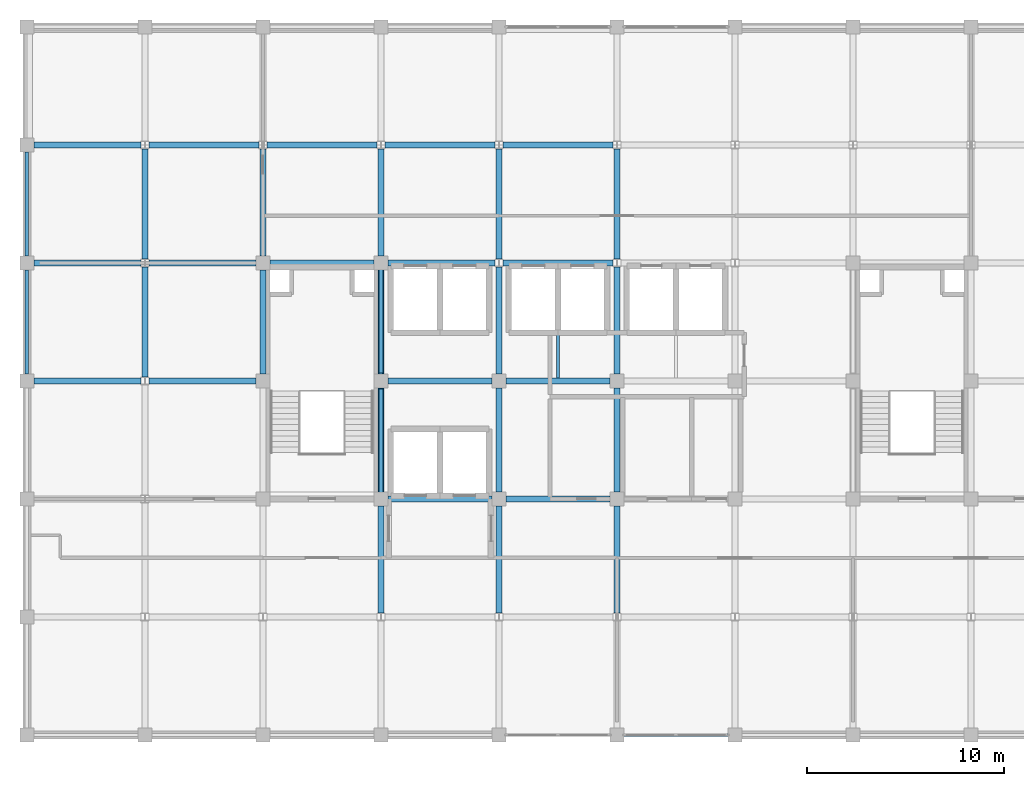
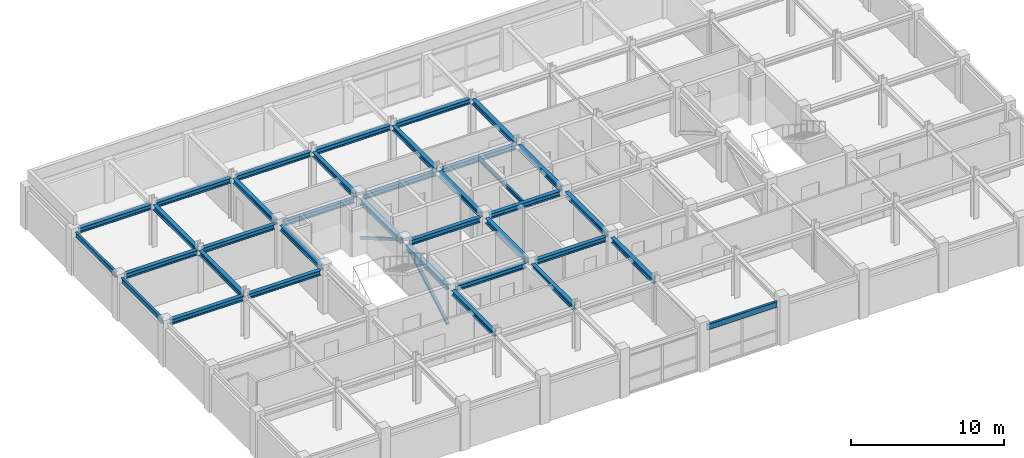
# One storey, part 5 of 12: 36 beams, 2 members.
"""IFC4 building model written with IfcOpenShell, lengths in metres."""

from ifc_helpers import new_model, si_unit, direction, frame, origin, origin_2d, place, context, subcontext, project, spatial, hollow_rectangle, i_section, extrude, material, material_profile, profile_set, type_object, element, save


model = new_model("IFC4")

# Units and contexts
model_context = context("Model", 3, precision=1e-05, world=origin(), true_north=direction((0.0, 1.0)))
body_context = subcontext(model_context, "Body", "Model", "MODEL_VIEW")
ifc_project = project(units=[si_unit("LENGTHUNIT", "METRE"), si_unit("AREAUNIT", "SQUARE_METRE"), si_unit("VOLUMEUNIT", "CUBIC_METRE"), si_unit("PLANEANGLEUNIT", "RADIAN"), si_unit("MASSUNIT", "GRAM", prefix="KILO")], contexts=[model_context])

# Site, building, storey
site_placement = place(None, origin())
site = spatial("IfcSite", under=ifc_project, at=site_placement, CompositionType="ELEMENT")
building_placement = place(site_placement, origin())
building = spatial("IfcBuilding", under=site, at=building_placement, Name="Zlatovratsky Civic Hall", CompositionType="ELEMENT")
storey_placement = place(building_placement, frame((0.0, 0.0, 32.699951171875)))
storey = spatial("IfcBuildingStorey", under=building, at=storey_placement, Name="L08", CompositionType="ELEMENT", Elevation=32.699951171875)

# Beams
ifc_material = material(Name="Steel S355", Category="steel")
ifc_material_profile_1 = material_profile(ifc_material, i_section(OverallWidth=0.169921875, OverallDepth=0.446044921875, WebThickness=0.007568359375, FlangeThickness=0.010986328125, FilletRadius=0.01611328125, at=origin_2d()), Name="45B1")
ifc_profile_set_1 = profile_set([ifc_material_profile_1], Name="Steel S355")
beam_type_1 = type_object("IfcBeamType", Name="Beam_Spandrel_45B1", PredefinedType="SPANDREL", material=ifc_profile_set_1)
for number, where, z_axis, x_axis, name in (
    (1, (84.35009765625, 72.0, 3.177001953125), (1.0, 0.0, 0.0), (0.0, 1.0, 0.0), "BM-4386"),
    (2, (54.0, 90.35009765625, 3.177001953125), (0.0, 1.0, 0.0), (-1.0, 0.0, 0.0), "BM-4452"),
    (3, (54.0, 96.35009765625, 3.177001953125), (0.0, 1.0, 0.0), (-1.0, 0.0, 0.0), "BM-4453"),
):
    element("IfcBeam", number, at=place(storey_placement, frame(where, z_axis=z_axis, x_axis=x_axis)), inside=storey, type_object=beam_type_1, Name=name, PredefinedType="SPANDREL", context=body_context, shape_type="SweptSolid", body=[
        extrude(i_section(OverallWidth=0.169921875, OverallDepth=0.446044921875, WebThickness=0.007568359375, FlangeThickness=0.010986328125, FilletRadius=0.01611328125, at=origin_2d()), origin(), (0.0, 0.0, 1.0), 5.2998046875),
    ])
ifc_material_profile_2 = material_profile(ifc_material, i_section(OverallWidth=0.300048828125, OverallDepth=0.387939453125, WebThickness=0.009521484375, FlangeThickness=0.013916015625, FilletRadius=0.02197265625, at=origin_2d()), Name="40Sh1")
ifc_profile_set_2 = profile_set([ifc_material_profile_2], Name="Steel S355")
beam_type_2 = type_object("IfcBeamType", Name="Beam_TowerMid_40Sh1", PredefinedType="BEAM", material=ifc_profile_set_2)
for number, where, z_axis, x_axis, name in (
    (4, (72.35009765625, 84.0, 3.2060546875), (1.0, 0.0, 0.0), (0.0, 1.0, 0.0), "BM-4404"),
    (5, (78.35009765625, 84.0, 3.2060546875), (1.0, 0.0, 0.0), (0.0, 1.0, 0.0), "BM-4405"),
):
    element("IfcBeam", number, at=place(storey_placement, frame(where, z_axis=z_axis, x_axis=x_axis)), inside=storey, type_object=beam_type_2, Name=name, PredefinedType="BEAM", context=body_context, shape_type="SweptSolid", body=[
        extrude(i_section(OverallWidth=0.300048828125, OverallDepth=0.387939453125, WebThickness=0.009521484375, FlangeThickness=0.013916015625, FilletRadius=0.02197265625, at=origin_2d()), origin(), (0.0, 0.0, 1.0), 5.2998046875),
    ])
for number, where, z_axis, x_axis, name in (
    (6, (54.35009765625, 90.0, 3.2060546875), (1.0, 0.0, 0.0), (0.0, 1.0, 0.0), "BM-4411"),
    (7, (60.198974609375, 90.0, 3.2060546875), (1.0, 0.0, 0.0), (0.0, 1.0, 0.0), "BM-4412"),
):
    element("IfcBeam", number, at=place(storey_placement, frame(where, z_axis=z_axis, x_axis=x_axis)), inside=storey, type_object=beam_type_2, Name=name, PredefinedType="BEAM", context=body_context, shape_type="SweptSolid", body=[
        extrude(i_section(OverallWidth=0.300048828125, OverallDepth=0.387939453125, WebThickness=0.009521484375, FlangeThickness=0.013916015625, FilletRadius=0.02197265625, at=origin_2d()), origin(), (0.0, 0.0, 1.0), 5.450927734375),
    ])
for number, where, z_axis, x_axis, name in (
    (8, (72.35009765625, 90.0, 3.2060546875), (1.0, 0.0, 0.0), (0.0, 1.0, 0.0), "BM-4413"),
    (9, (78.35009765625, 90.0, 3.2060546875), (1.0, 0.0, 0.0), (0.0, 1.0, 0.0), "BM-4414"),
):
    element("IfcBeam", number, at=place(storey_placement, frame(where, z_axis=z_axis, x_axis=x_axis)), inside=storey, type_object=beam_type_2, Name=name, PredefinedType="BEAM", context=body_context, shape_type="SweptSolid", body=[
        extrude(i_section(OverallWidth=0.300048828125, OverallDepth=0.387939453125, WebThickness=0.009521484375, FlangeThickness=0.013916015625, FilletRadius=0.02197265625, at=origin_2d()), origin(), (0.0, 0.0, 1.0), 5.2998046875),
    ])
for number, where, z_axis, x_axis, name in (
    (10, (54.35009765625, 96.0, 3.2060546875), (1.0, 0.0, 0.0), (0.0, 1.0, 0.0), "BM-4419"),
    (11, (60.198974609375, 96.0, 3.2060546875), (1.0, 0.0, 0.0), (0.0, 1.0, 0.0), "BM-4420"),
):
    element("IfcBeam", number, at=place(storey_placement, frame(where, z_axis=z_axis, x_axis=x_axis)), inside=storey, type_object=beam_type_2, Name=name, PredefinedType="BEAM", context=body_context, shape_type="SweptSolid", body=[
        extrude(i_section(OverallWidth=0.300048828125, OverallDepth=0.387939453125, WebThickness=0.009521484375, FlangeThickness=0.013916015625, FilletRadius=0.02197265625, at=origin_2d()), origin(), (0.0, 0.0, 1.0), 5.450927734375),
    ])
beam_1_placement = place(storey_placement, frame((66.35009765625, 96.0, 3.2060546875), z_axis=(1.0, 0.0, 0.0), x_axis=(0.0, 1.0, 0.0)))
element("IfcBeam", 12, at=beam_1_placement, inside=storey, type_object=beam_type_2, Name="BM-4421", PredefinedType="BEAM", context=body_context, shape_type="SweptSolid", body=[
    extrude(i_section(OverallWidth=0.300048828125, OverallDepth=0.387939453125, WebThickness=0.009521484375, FlangeThickness=0.013916015625, FilletRadius=0.02197265625, at=origin_2d()), origin(), (0.0, 0.0, 1.0), 5.2998046875),
])
beam_2_placement = place(storey_placement, frame((72.35009765625, 96.0, 3.2060546875), z_axis=(1.0, 0.0, 0.0), x_axis=(0.0, 1.0, 0.0)))
element("IfcBeam", 13, at=beam_2_placement, inside=storey, type_object=beam_type_2, Name="BM-4422", PredefinedType="BEAM", context=body_context, shape_type="SweptSolid", body=[
    extrude(i_section(OverallWidth=0.300048828125, OverallDepth=0.387939453125, WebThickness=0.009521484375, FlangeThickness=0.013916015625, FilletRadius=0.02197265625, at=origin_2d()), origin(), (0.0, 0.0, 1.0), 5.450927734375),
])
beam_3_placement = place(storey_placement, frame((78.198974609375, 96.0, 3.2060546875), z_axis=(1.0, 0.0, 0.0), x_axis=(0.0, 1.0, 0.0)))
element("IfcBeam", 14, at=beam_3_placement, inside=storey, type_object=beam_type_2, Name="BM-4423", PredefinedType="BEAM", context=body_context, shape_type="SweptSolid", body=[
    extrude(i_section(OverallWidth=0.300048828125, OverallDepth=0.387939453125, WebThickness=0.009521484375, FlangeThickness=0.013916015625, FilletRadius=0.02197265625, at=origin_2d()), origin(), (0.0, 0.0, 1.0), 5.60205078125),
])
beam_4_placement = place(storey_placement, frame((54.35009765625, 102.0, 3.2060546875), z_axis=(1.0, 0.0, 0.0), x_axis=(0.0, 1.0, 0.0)))
element("IfcBeam", 15, at=beam_4_placement, inside=storey, type_object=beam_type_2, Name="BM-4429", PredefinedType="BEAM", context=body_context, shape_type="SweptSolid", body=[
    extrude(i_section(OverallWidth=0.300048828125, OverallDepth=0.387939453125, WebThickness=0.009521484375, FlangeThickness=0.013916015625, FilletRadius=0.02197265625, at=origin_2d()), origin(), (0.0, 0.0, 1.0), 5.450927734375),
])
for number, where, z_axis, x_axis, name in (
    (16, (60.198974609375, 102.0, 3.2060546875), (1.0, 0.0, 0.0), (0.0, 1.0, 0.0), "BM-4430"),
    (17, (66.198974609375, 102.0, 3.2060546875), (1.0, 0.0, 0.0), (0.0, 1.0, 0.0), "BM-4431"),
    (18, (72.198974609375, 102.0, 3.2060546875), (1.0, 0.0, 0.0), (0.0, 1.0, 0.0), "BM-4432"),
    (19, (78.198974609375, 102.0, 3.2060546875), (1.0, 0.0, 0.0), (0.0, 1.0, 0.0), "BM-4433"),
):
    element("IfcBeam", number, at=place(storey_placement, frame(where, z_axis=z_axis, x_axis=x_axis)), inside=storey, type_object=beam_type_2, Name=name, PredefinedType="BEAM", context=body_context, shape_type="SweptSolid", body=[
        extrude(i_section(OverallWidth=0.300048828125, OverallDepth=0.387939453125, WebThickness=0.009521484375, FlangeThickness=0.013916015625, FilletRadius=0.02197265625, at=origin_2d()), origin(), (0.0, 0.0, 1.0), 5.60205078125),
    ])
for number, where, z_axis, x_axis, name in (
    (20, (60.0, 90.197021484375, 3.2060546875), (0.0, 1.0, 0.0), (-1.0, 0.0, 0.0), "BM-4458"),
    (21, (60.0, 96.197021484375, 3.2060546875), (0.0, 1.0, 0.0), (-1.0, 0.0, 0.0), "BM-4459"),
):
    element("IfcBeam", number, at=place(storey_placement, frame(where, z_axis=z_axis, x_axis=x_axis)), inside=storey, type_object=beam_type_2, Name=name, PredefinedType="BEAM", context=body_context, shape_type="SweptSolid", body=[
        extrude(i_section(OverallWidth=0.300048828125, OverallDepth=0.387939453125, WebThickness=0.009521484375, FlangeThickness=0.013916015625, FilletRadius=0.02197265625, at=origin_2d()), origin(), (0.0, 0.0, 1.0), 5.60595703125),
    ])
beam_5_placement = place(storey_placement, frame((66.0, 90.35009765625, 3.2060546875), z_axis=(0.0, 1.0, 0.0), x_axis=(-1.0, 0.0, 0.0)))
element("IfcBeam", 22, at=beam_5_placement, inside=storey, type_object=beam_type_2, Name="BM-4464", PredefinedType="BEAM", context=body_context, shape_type="SweptSolid", body=[
    extrude(i_section(OverallWidth=0.300048828125, OverallDepth=0.387939453125, WebThickness=0.009521484375, FlangeThickness=0.013916015625, FilletRadius=0.02197265625, at=origin_2d()), origin(), (0.0, 0.0, 1.0), 5.2998046875),
])
for number, where, z_axis, x_axis, name in (
    (23, (66.0, 96.35009765625, 3.2060546875), (0.0, 1.0, 0.0), (-1.0, 0.0, 0.0), "BM-4465"),
    (24, (72.0, 78.197021484375, 3.2060546875), (0.0, 1.0, 0.0), (-1.0, 0.0, 0.0), "BM-4468"),
):
    element("IfcBeam", number, at=place(storey_placement, frame(where, z_axis=z_axis, x_axis=x_axis)), inside=storey, type_object=beam_type_2, Name=name, PredefinedType="BEAM", context=body_context, shape_type="SweptSolid", body=[
        extrude(i_section(OverallWidth=0.300048828125, OverallDepth=0.387939453125, WebThickness=0.009521484375, FlangeThickness=0.013916015625, FilletRadius=0.02197265625, at=origin_2d()), origin(), (0.0, 0.0, 1.0), 5.452880859375),
    ])
for number, where, z_axis, x_axis, name in (
    (25, (72.0, 84.35009765625, 3.2060546875), (0.0, 1.0, 0.0), (-1.0, 0.0, 0.0), "BM-4469"),
    (26, (72.0, 90.35009765625, 3.2060546875), (0.0, 1.0, 0.0), (-1.0, 0.0, 0.0), "BM-4470"),
):
    element("IfcBeam", number, at=place(storey_placement, frame(where, z_axis=z_axis, x_axis=x_axis)), inside=storey, type_object=beam_type_2, Name=name, PredefinedType="BEAM", context=body_context, shape_type="SweptSolid", body=[
        extrude(i_section(OverallWidth=0.300048828125, OverallDepth=0.387939453125, WebThickness=0.009521484375, FlangeThickness=0.013916015625, FilletRadius=0.02197265625, at=origin_2d()), origin(), (0.0, 0.0, 1.0), 5.2998046875),
    ])
for number, where, z_axis, x_axis, name in (
    (27, (72.0, 96.35009765625, 3.2060546875), (0.0, 1.0, 0.0), (-1.0, 0.0, 0.0), "BM-4471"),
    (28, (78.0, 78.197021484375, 3.2060546875), (0.0, 1.0, 0.0), (-1.0, 0.0, 0.0), "BM-4474"),
):
    element("IfcBeam", number, at=place(storey_placement, frame(where, z_axis=z_axis, x_axis=x_axis)), inside=storey, type_object=beam_type_2, Name=name, PredefinedType="BEAM", context=body_context, shape_type="SweptSolid", body=[
        extrude(i_section(OverallWidth=0.300048828125, OverallDepth=0.387939453125, WebThickness=0.009521484375, FlangeThickness=0.013916015625, FilletRadius=0.02197265625, at=origin_2d()), origin(), (0.0, 0.0, 1.0), 5.452880859375),
    ])
beam_6_placement = place(storey_placement, frame((78.0, 84.35009765625, 3.2060546875), z_axis=(0.0, 1.0, 0.0), x_axis=(-1.0, 0.0, 0.0)))
element("IfcBeam", 29, at=beam_6_placement, inside=storey, type_object=beam_type_2, Name="BM-4475", PredefinedType="BEAM", context=body_context, shape_type="SweptSolid", body=[
    extrude(i_section(OverallWidth=0.300048828125, OverallDepth=0.387939453125, WebThickness=0.009521484375, FlangeThickness=0.013916015625, FilletRadius=0.02197265625, at=origin_2d()), origin(), (0.0, 0.0, 1.0), 5.2998046875),
])
beam_7_placement = place(storey_placement, frame((78.0, 90.35009765625, 3.2060546875), z_axis=(0.0, 1.0, 0.0), x_axis=(-1.0, 0.0, 0.0)))
element("IfcBeam", 30, at=beam_7_placement, inside=storey, type_object=beam_type_2, Name="BM-4476", PredefinedType="BEAM", context=body_context, shape_type="SweptSolid", body=[
    extrude(i_section(OverallWidth=0.300048828125, OverallDepth=0.387939453125, WebThickness=0.009521484375, FlangeThickness=0.013916015625, FilletRadius=0.02197265625, at=origin_2d()), origin(), (0.0, 0.0, 1.0), 5.452880859375),
])
beam_8_placement = place(storey_placement, frame((78.0, 96.197021484375, 3.2060546875), z_axis=(0.0, 1.0, 0.0), x_axis=(-1.0, 0.0, 0.0)))
element("IfcBeam", 31, at=beam_8_placement, inside=storey, type_object=beam_type_2, Name="BM-4477", PredefinedType="BEAM", context=body_context, shape_type="SweptSolid", body=[
    extrude(i_section(OverallWidth=0.300048828125, OverallDepth=0.387939453125, WebThickness=0.009521484375, FlangeThickness=0.013916015625, FilletRadius=0.02197265625, at=origin_2d()), origin(), (0.0, 0.0, 1.0), 5.60595703125),
])
beam_9_placement = place(storey_placement, frame((84.0, 78.197021484375, 3.2060546875), z_axis=(0.0, 1.0, 0.0), x_axis=(-1.0, 0.0, 0.0)))
element("IfcBeam", 32, at=beam_9_placement, inside=storey, type_object=beam_type_2, Name="BM-4480", PredefinedType="BEAM", context=body_context, shape_type="SweptSolid", body=[
    extrude(i_section(OverallWidth=0.300048828125, OverallDepth=0.387939453125, WebThickness=0.009521484375, FlangeThickness=0.013916015625, FilletRadius=0.02197265625, at=origin_2d()), origin(), (0.0, 0.0, 1.0), 5.452880859375),
])
beam_10_placement = place(storey_placement, frame((84.0, 84.35009765625, 3.2060546875), z_axis=(0.0, 1.0, 0.0), x_axis=(-1.0, 0.0, 0.0)))
element("IfcBeam", 33, at=beam_10_placement, inside=storey, type_object=beam_type_2, Name="BM-4481", PredefinedType="BEAM", context=body_context, shape_type="SweptSolid", body=[
    extrude(i_section(OverallWidth=0.300048828125, OverallDepth=0.387939453125, WebThickness=0.009521484375, FlangeThickness=0.013916015625, FilletRadius=0.02197265625, at=origin_2d()), origin(), (0.0, 0.0, 1.0), 5.2998046875),
])
beam_11_placement = place(storey_placement, frame((84.0, 90.35009765625, 3.2060546875), z_axis=(0.0, 1.0, 0.0), x_axis=(-1.0, 0.0, 0.0)))
element("IfcBeam", 34, at=beam_11_placement, inside=storey, type_object=beam_type_2, Name="BM-4482", PredefinedType="BEAM", context=body_context, shape_type="SweptSolid", body=[
    extrude(i_section(OverallWidth=0.300048828125, OverallDepth=0.387939453125, WebThickness=0.009521484375, FlangeThickness=0.013916015625, FilletRadius=0.02197265625, at=origin_2d()), origin(), (0.0, 0.0, 1.0), 5.452880859375),
])
beam_12_placement = place(storey_placement, frame((84.0, 96.197021484375, 3.2060546875), z_axis=(0.0, 1.0, 0.0), x_axis=(-1.0, 0.0, 0.0)))
element("IfcBeam", 35, at=beam_12_placement, inside=storey, type_object=beam_type_2, Name="BM-4483", PredefinedType="BEAM", context=body_context, shape_type="SweptSolid", body=[
    extrude(i_section(OverallWidth=0.300048828125, OverallDepth=0.387939453125, WebThickness=0.009521484375, FlangeThickness=0.013916015625, FilletRadius=0.02197265625, at=origin_2d()), origin(), (0.0, 0.0, 1.0), 5.60595703125),
])

# Members
ifc_material_profile_3 = material_profile(ifc_material, hollow_rectangle(XDim=0.199951171875, YDim=0.199951171875, WallThickness=0.010009765625, at=origin_2d()), Name="SHS 200x200x10")
ifc_profile_set_3 = profile_set([ifc_material_profile_3], Name="Steel S355")
member_type = type_object("IfcMemberType", Name="Brace_TowerLow_SHS200", PredefinedType="BRACE", material=ifc_profile_set_3)
for number, where, z_axis, x_axis, name in (
    (36, (72.0, 84.35009765625, 0.25), (0.0, 0.863172562464, 0.504909028845), (-1.0, 0.0, 0.0), "MB-0136"),
    (37, (72.0, 90.35009765625, 3.35009765625), (0.0, 0.863172562464, -0.504909028845), (-1.0, 0.0, 0.0), "MB-0137"),
):
    element("IfcMember", number, at=place(storey_placement, frame(where, z_axis=z_axis, x_axis=x_axis)), inside=storey, type_object=member_type, Name=name, PredefinedType="BRACE", context=body_context, shape_type="SweptSolid", body=[
        extrude(hollow_rectangle(XDim=0.199951171875, YDim=0.199951171875, WallThickness=0.010009765625, at=origin_2d()), origin(), (0.0, 0.0, 1.0), 6.139892578125),
    ])

# Beam
ifc_material_profile_4 = material_profile(ifc_material, i_section(OverallWidth=0.14892578125, OverallDepth=0.2958984375, WebThickness=0.005615234375, FlangeThickness=0.008056640625, FilletRadius=0.012939453125, at=origin_2d()), Name="30B1")
ifc_profile_set_4 = profile_set([ifc_material_profile_4], Name="Steel S355")
beam_type_3 = type_object("IfcBeamType", Name="Joist_Tower_30B1", PredefinedType="JOIST", material=ifc_profile_set_4)
beam_13_placement = place(storey_placement, frame((81.0, 90.14990234375, 3.251953125), z_axis=(0.0, 1.0, 0.0), x_axis=(-1.0, 0.0, 0.0)))
element("IfcBeam", 38, at=beam_13_placement, inside=storey, type_object=beam_type_3, Name="BM-4515", PredefinedType="JOIST", context=body_context, shape_type="SweptSolid", body=[
    extrude(i_section(OverallWidth=0.14892578125, OverallDepth=0.2958984375, WebThickness=0.005615234375, FlangeThickness=0.008056640625, FilletRadius=0.012939453125, at=origin_2d()), origin(), (0.0, 0.0, 1.0), 5.7001953125),
])

save(model, "model.ifc")
